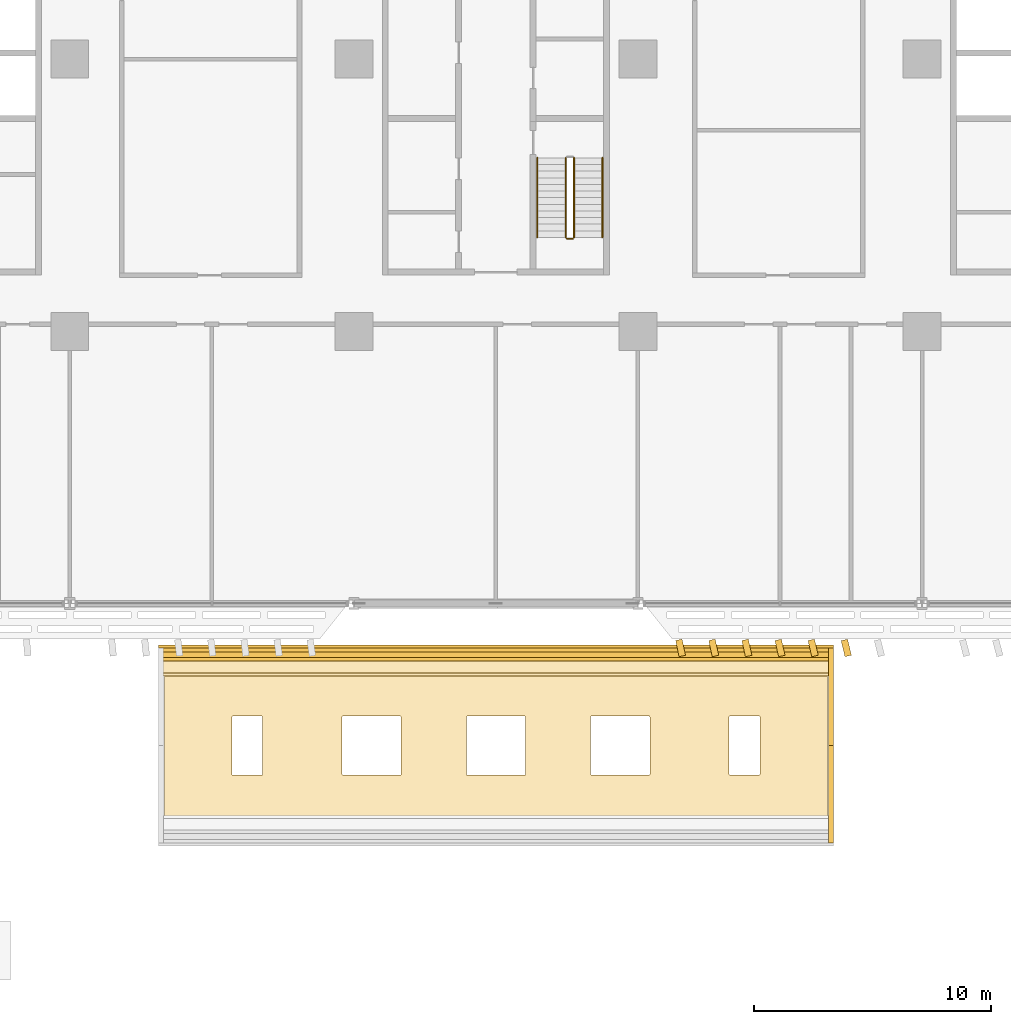
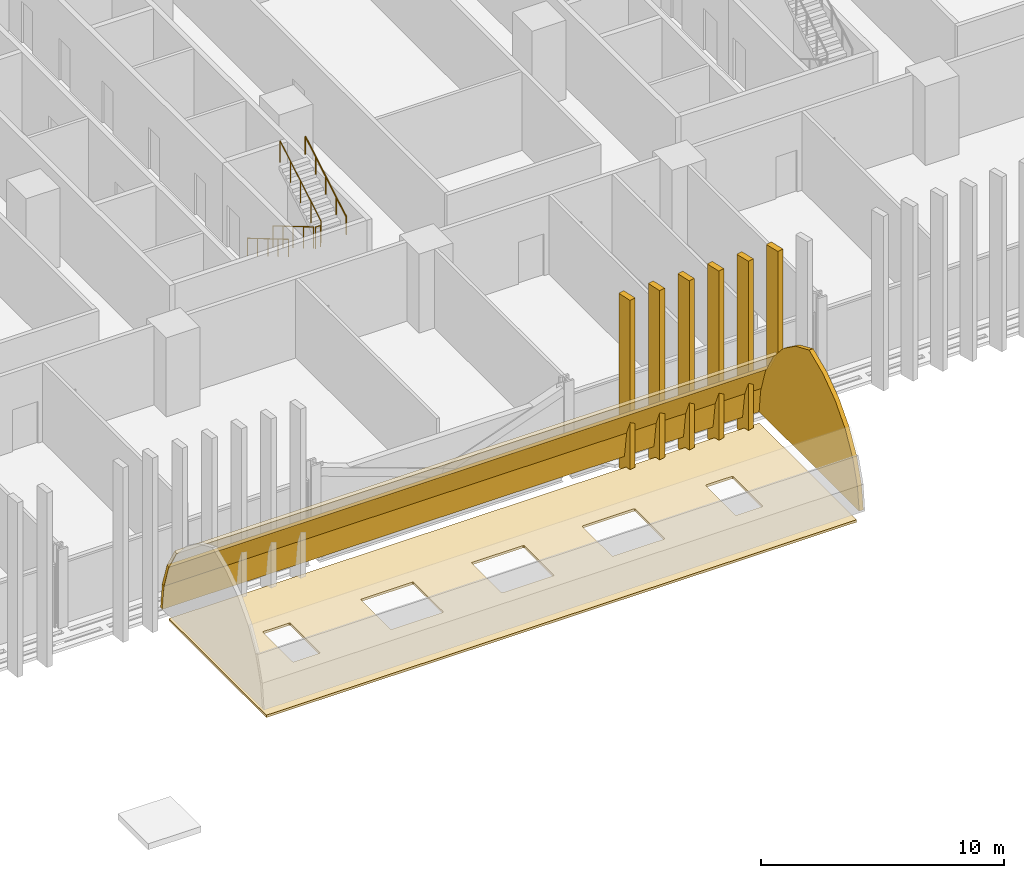
# One storey, part 24 of 31: 11 coverings, 5 railings.
"""IFC4 building model written with IfcOpenShell, lengths in metres."""

from ifc_helpers import new_model, si_unit, direction, frame, origin, origin_2d, place, context, subcontext, project, spatial, polyline, rectangle, circle, outline, extrude, material, layer, layer_set, type_object, element, save


model = new_model("IFC4")

# Units and contexts
model_context = context("Model", 3, precision=1e-05, world=origin(), true_north=direction((0.0, 1.0)))
body_context = subcontext(model_context, "Body", "Model", "MODEL_VIEW")
ifc_project = project(units=[si_unit("LENGTHUNIT", "METRE"), si_unit("AREAUNIT", "SQUARE_METRE"), si_unit("VOLUMEUNIT", "CUBIC_METRE"), si_unit("PLANEANGLEUNIT", "RADIAN"), si_unit("MASSUNIT", "GRAM", prefix="KILO")], contexts=[model_context])

# Site, building, storey
site_placement = place(None, origin())
site = spatial("IfcSite", under=ifc_project, at=site_placement, CompositionType="ELEMENT")
building_placement = place(site_placement, origin())
building = spatial("IfcBuilding", under=site, at=building_placement, Name="Mahtab Terrace Research Tower", CompositionType="ELEMENT")
storey_placement = place(building_placement, frame((0.0, 0.0, 11.5)))
storey = spatial("IfcBuildingStorey", under=building, at=storey_placement, Name="L02", CompositionType="ELEMENT", Elevation=11.5)

# Coverings
ifc_material_1 = material(Name="Standing seam zinc")
ifc_layer_1 = layer(ifc_material_1, 0.1201171875)
ifc_layer_set_1 = layer_set([ifc_layer_1], Name="Pavilion standing seam roof build-up 120")
covering_type_1 = type_object("IfcCoveringType", Name="Pavilion standing seam roof build-up 120", PredefinedType="ROOFING", material=ifc_layer_set_1)
covering_1_placement = place(storey_placement, origin())
element("IfcCovering", 1, at=covering_1_placement, inside=storey, type_object=covering_type_1, Name="Pavilion roof build-up 1", PredefinedType="ROOFING", context=body_context, shape_type="SweptSolid", body=[
    extrude(outline(polyline([(-14.0, -33.0), (-14.0, -25.0), (14.0, -25.0), (14.0, -33.0), (-14.0, -33.0)]), holes=[polyline([(-11.10009765625, -30.25), (-9.89990234375, -30.25), (-9.89501953125, -30.25), (-9.889892578125, -30.2490234375), (-9.885009765625, -30.248046875), (-9.881103515625, -30.24609375), (-9.8759765625, -30.243896484375), (-9.8720703125, -30.241943359375), (-9.867919921875, -30.239013671875), (-9.864990234375, -30.235107421875), (-9.861083984375, -30.23193359375), (-9.85791015625, -30.22802734375), (-9.85595703125, -30.22412109375), (-9.85400390625, -30.218994140625), (-9.85205078125, -30.215087890625), (-9.85107421875, -30.2099609375), (-9.85009765625, -30.205078125), (-9.85009765625, -30.199951171875), (-9.85009765625, -27.800048828125), (-9.85009765625, -27.794921875), (-9.85107421875, -27.7900390625), (-9.85205078125, -27.784912109375), (-9.85400390625, -27.781005859375), (-9.85595703125, -27.77587890625), (-9.85791015625, -27.77197265625), (-9.861083984375, -27.76806640625), (-9.864990234375, -27.764892578125), (-9.867919921875, -27.760986328125), (-9.8720703125, -27.758056640625), (-9.8759765625, -27.756103515625), (-9.881103515625, -27.75390625), (-9.885009765625, -27.751953125), (-9.889892578125, -27.7509765625), (-9.89501953125, -27.75), (-9.89990234375, -27.75), (-11.10009765625, -27.75), (-11.10498046875, -27.75), (-11.110107421875, -27.7509765625), (-11.114990234375, -27.751953125), (-11.118896484375, -27.75390625), (-11.1240234375, -27.756103515625), (-11.1279296875, -27.758056640625), (-11.132080078125, -27.760986328125), (-11.135009765625, -27.764892578125), (-11.138916015625, -27.76806640625), (-11.14208984375, -27.77197265625), (-11.14404296875, -27.77587890625), (-11.14599609375, -27.781005859375), (-11.14794921875, -27.784912109375), (-11.14892578125, -27.7900390625), (-11.14990234375, -27.794921875), (-11.14990234375, -27.800048828125), (-11.14990234375, -30.199951171875), (-11.14990234375, -30.205078125), (-11.14892578125, -30.2099609375), (-11.14794921875, -30.215087890625), (-11.14599609375, -30.218994140625), (-11.14404296875, -30.22412109375), (-11.14208984375, -30.22802734375), (-11.138916015625, -30.23193359375), (-11.135009765625, -30.235107421875), (-11.132080078125, -30.239013671875), (-11.1279296875, -30.241943359375), (-11.1240234375, -30.243896484375), (-11.118896484375, -30.24609375), (-11.114990234375, -30.248046875), (-11.110107421875, -30.2490234375), (-11.10498046875, -30.25), (-11.10009765625, -30.25)]), polyline([(-6.449951171875, -30.25), (-4.050048828125, -30.25), (-4.044921875, -30.25), (-4.0400390625, -30.2490234375), (-4.034912109375, -30.248046875), (-4.031005859375, -30.24609375), (-4.02587890625, -30.243896484375), (-4.02197265625, -30.241943359375), (-4.01806640625, -30.239013671875), (-4.014892578125, -30.235107421875), (-4.010986328125, -30.23193359375), (-4.008056640625, -30.22802734375), (-4.006103515625, -30.22412109375), (-4.00390625, -30.218994140625), (-4.001953125, -30.215087890625), (-4.0009765625, -30.2099609375), (-4.0, -30.205078125), (-4.0, -30.199951171875), (-4.0, -27.800048828125), (-4.0, -27.794921875), (-4.0009765625, -27.7900390625), (-4.001953125, -27.784912109375), (-4.00390625, -27.781005859375), (-4.006103515625, -27.77587890625), (-4.008056640625, -27.77197265625), (-4.010986328125, -27.76806640625), (-4.014892578125, -27.764892578125), (-4.01806640625, -27.760986328125), (-4.02197265625, -27.758056640625), (-4.02587890625, -27.756103515625), (-4.031005859375, -27.75390625), (-4.034912109375, -27.751953125), (-4.0400390625, -27.7509765625), (-4.044921875, -27.75), (-4.050048828125, -27.75), (-6.449951171875, -27.75), (-6.455078125, -27.75), (-6.4599609375, -27.7509765625), (-6.465087890625, -27.751953125), (-6.468994140625, -27.75390625), (-6.47412109375, -27.756103515625), (-6.47802734375, -27.758056640625), (-6.48193359375, -27.760986328125), (-6.485107421875, -27.764892578125), (-6.489013671875, -27.76806640625), (-6.491943359375, -27.77197265625), (-6.493896484375, -27.77587890625), (-6.49609375, -27.781005859375), (-6.498046875, -27.784912109375), (-6.4990234375, -27.7900390625), (-6.5, -27.794921875), (-6.5, -27.800048828125), (-6.5, -30.199951171875), (-6.5, -30.205078125), (-6.4990234375, -30.2099609375), (-6.498046875, -30.215087890625), (-6.49609375, -30.218994140625), (-6.493896484375, -30.22412109375), (-6.491943359375, -30.22802734375), (-6.489013671875, -30.23193359375), (-6.485107421875, -30.235107421875), (-6.48193359375, -30.239013671875), (-6.47802734375, -30.241943359375), (-6.47412109375, -30.243896484375), (-6.468994140625, -30.24609375), (-6.465087890625, -30.248046875), (-6.4599609375, -30.2490234375), (-6.455078125, -30.25), (-6.449951171875, -30.25)]), polyline([(-1.199951171875, -30.25), (1.199951171875, -30.25), (1.205078125, -30.25), (1.2099609375, -30.2490234375), (1.215087890625, -30.248046875), (1.218994140625, -30.24609375), (1.22412109375, -30.243896484375), (1.22802734375, -30.241943359375), (1.23193359375, -30.239013671875), (1.235107421875, -30.235107421875), (1.239013671875, -30.23193359375), (1.241943359375, -30.22802734375), (1.243896484375, -30.22412109375), (1.24609375, -30.218994140625), (1.248046875, -30.215087890625), (1.2490234375, -30.2099609375), (1.25, -30.205078125), (1.25, -30.199951171875), (1.25, -27.800048828125), (1.25, -27.794921875), (1.2490234375, -27.7900390625), (1.248046875, -27.784912109375), (1.24609375, -27.781005859375), (1.243896484375, -27.77587890625), (1.241943359375, -27.77197265625), (1.239013671875, -27.76806640625), (1.235107421875, -27.764892578125), (1.23193359375, -27.760986328125), (1.22802734375, -27.758056640625), (1.22412109375, -27.756103515625), (1.218994140625, -27.75390625), (1.215087890625, -27.751953125), (1.2099609375, -27.7509765625), (1.205078125, -27.75), (1.199951171875, -27.75), (-1.199951171875, -27.75), (-1.205078125, -27.75), (-1.2099609375, -27.7509765625), (-1.215087890625, -27.751953125), (-1.218994140625, -27.75390625), (-1.22412109375, -27.756103515625), (-1.22802734375, -27.758056640625), (-1.23193359375, -27.760986328125), (-1.235107421875, -27.764892578125), (-1.239013671875, -27.76806640625), (-1.241943359375, -27.77197265625), (-1.243896484375, -27.77587890625), (-1.24609375, -27.781005859375), (-1.248046875, -27.784912109375), (-1.2490234375, -27.7900390625), (-1.25, -27.794921875), (-1.25, -27.800048828125), (-1.25, -30.199951171875), (-1.25, -30.205078125), (-1.2490234375, -30.2099609375), (-1.248046875, -30.215087890625), (-1.24609375, -30.218994140625), (-1.243896484375, -30.22412109375), (-1.241943359375, -30.22802734375), (-1.239013671875, -30.23193359375), (-1.235107421875, -30.235107421875), (-1.23193359375, -30.239013671875), (-1.22802734375, -30.241943359375), (-1.22412109375, -30.243896484375), (-1.218994140625, -30.24609375), (-1.215087890625, -30.248046875), (-1.2099609375, -30.2490234375), (-1.205078125, -30.25), (-1.199951171875, -30.25)]), polyline([(4.044921875, -30.25), (4.050048828125, -30.25), (6.449951171875, -30.25), (6.455078125, -30.25), (6.4599609375, -30.2490234375), (6.465087890625, -30.248046875), (6.468994140625, -30.24609375), (6.47412109375, -30.243896484375), (6.47802734375, -30.241943359375), (6.48193359375, -30.239013671875), (6.485107421875, -30.235107421875), (6.489013671875, -30.23193359375), (6.491943359375, -30.22802734375), (6.493896484375, -30.22412109375), (6.49609375, -30.218994140625), (6.498046875, -30.215087890625), (6.4990234375, -30.2099609375), (6.5, -30.205078125), (6.5, -30.199951171875), (6.5, -27.800048828125), (6.5, -27.794921875), (6.4990234375, -27.7900390625), (6.498046875, -27.784912109375), (6.49609375, -27.781005859375), (6.493896484375, -27.77587890625), (6.491943359375, -27.77197265625), (6.489013671875, -27.76806640625), (6.485107421875, -27.764892578125), (6.48193359375, -27.760986328125), (6.47802734375, -27.758056640625), (6.47412109375, -27.756103515625), (6.468994140625, -27.75390625), (6.465087890625, -27.751953125), (6.4599609375, -27.7509765625), (6.455078125, -27.75), (6.449951171875, -27.75), (4.050048828125, -27.75), (4.044921875, -27.75), (4.0400390625, -27.7509765625), (4.034912109375, -27.751953125), (4.031005859375, -27.75390625), (4.02587890625, -27.756103515625), (4.02197265625, -27.758056640625), (4.01806640625, -27.760986328125), (4.014892578125, -27.764892578125), (4.010986328125, -27.76806640625), (4.008056640625, -27.77197265625), (4.006103515625, -27.77587890625), (4.00390625, -27.781005859375), (4.001953125, -27.784912109375), (4.0009765625, -27.7900390625), (4.0, -27.794921875), (4.0, -27.800048828125), (4.0, -30.199951171875), (4.0, -30.205078125), (4.0009765625, -30.2099609375), (4.001953125, -30.215087890625), (4.00390625, -30.218994140625), (4.006103515625, -30.22412109375), (4.008056640625, -30.22802734375), (4.010986328125, -30.23193359375), (4.014892578125, -30.235107421875), (4.01806640625, -30.239013671875), (4.02197265625, -30.241943359375), (4.02587890625, -30.243896484375), (4.031005859375, -30.24609375), (4.034912109375, -30.248046875), (4.0400390625, -30.2490234375), (4.044921875, -30.25)]), polyline([(9.89501953125, -30.25), (9.89990234375, -30.25), (11.10009765625, -30.25), (11.10498046875, -30.25), (11.110107421875, -30.2490234375), (11.114990234375, -30.248046875), (11.118896484375, -30.24609375), (11.1240234375, -30.243896484375), (11.1279296875, -30.241943359375), (11.132080078125, -30.239013671875), (11.135009765625, -30.235107421875), (11.138916015625, -30.23193359375), (11.14208984375, -30.22802734375), (11.14404296875, -30.22412109375), (11.14599609375, -30.218994140625), (11.14794921875, -30.215087890625), (11.14892578125, -30.2099609375), (11.14990234375, -30.205078125), (11.14990234375, -30.199951171875), (11.14990234375, -27.800048828125), (11.14990234375, -27.794921875), (11.14892578125, -27.7900390625), (11.14794921875, -27.784912109375), (11.14599609375, -27.781005859375), (11.14404296875, -27.77587890625), (11.14208984375, -27.77197265625), (11.138916015625, -27.76806640625), (11.135009765625, -27.764892578125), (11.132080078125, -27.760986328125), (11.1279296875, -27.758056640625), (11.1240234375, -27.756103515625), (11.118896484375, -27.75390625), (11.114990234375, -27.751953125), (11.110107421875, -27.7509765625), (11.10498046875, -27.75), (11.10009765625, -27.75), (9.89990234375, -27.75), (9.89501953125, -27.75), (9.889892578125, -27.7509765625), (9.885009765625, -27.751953125), (9.881103515625, -27.75390625), (9.8759765625, -27.756103515625), (9.8720703125, -27.758056640625), (9.867919921875, -27.760986328125), (9.864990234375, -27.764892578125), (9.861083984375, -27.76806640625), (9.85791015625, -27.77197265625), (9.85595703125, -27.77587890625), (9.85400390625, -27.781005859375), (9.85205078125, -27.784912109375), (9.85107421875, -27.7900390625), (9.85009765625, -27.794921875), (9.85009765625, -27.800048828125), (9.85009765625, -30.199951171875), (9.85009765625, -30.205078125), (9.85107421875, -30.2099609375), (9.85205078125, -30.215087890625), (9.85400390625, -30.218994140625), (9.85595703125, -30.22412109375), (9.85791015625, -30.22802734375), (9.861083984375, -30.23193359375), (9.864990234375, -30.235107421875), (9.867919921875, -30.239013671875), (9.8720703125, -30.241943359375), (9.8759765625, -30.243896484375), (9.881103515625, -30.24609375), (9.885009765625, -30.248046875), (9.889892578125, -30.2490234375), (9.89501953125, -30.25)])]), origin(), (0.0, 0.0, 1.0), 0.1201171875),
])
ifc_material_2 = material(Name="Glazed turquoise tile", Category="masonry")
ifc_layer_2 = layer(ifc_material_2, 0.14990234375)
ifc_layer_set_2 = layer_set([ifc_layer_2], Name="Pavilion vault tile shell 150")
covering_type_2 = type_object("IfcCoveringType", Name="Pavilion vault tile shell 150", PredefinedType="ROOFING", material=ifc_layer_set_2)
covering_2_placement = place(storey_placement, frame((-14.25, -24.885009765625, 1.876953125), z_axis=(0.0, 0.994317162268, 0.106458352514), x_axis=(1.0, 0.0, 0.0)))
element("IfcCovering", 2, at=covering_2_placement, inside=storey, type_object=covering_type_2, Name="Pavilion vault course N1", PredefinedType="ROOFING", context=body_context, shape_type="SweptSolid", body=[
    extrude(outline(polyline([(0.0, 0.0), (28.5, 0.0), (28.5, 1.2681932646613006), (0.0, 1.2681932646613006), (0.0, 0.0)])), origin(), (0.0, 0.0, -1.0), 0.14990234375),
])
covering_3_placement = place(storey_placement, frame((-14.25, -25.283935546875, 3.080078125), z_axis=(0.0, 0.949182894892, 0.314725010198), x_axis=(1.0, 0.0, 0.0)))
element("IfcCovering", 3, at=covering_3_placement, inside=storey, type_object=covering_type_2, Name="Pavilion vault course N2", PredefinedType="ROOFING", context=body_context, shape_type="SweptSolid", body=[
    extrude(outline(polyline([(0.0, 0.0), (28.5, 0.0), (28.5, 1.2675375909892863), (0.0, 1.2675375909892863), (0.0, 0.0)])), origin(), (0.0, 0.0, -1.0), 0.14990234375),
])
covering_4_placement = place(storey_placement, frame((-14.25, -25.928955078125, 4.172119140625), z_axis=(0.0, 0.8610223174, 0.508567172495), x_axis=(1.0, 0.0, 0.0)))
element("IfcCovering", 4, at=covering_4_placement, inside=storey, type_object=covering_type_2, Name="Pavilion vault course N3", PredefinedType="ROOFING", context=body_context, shape_type="SweptSolid", body=[
    extrude(outline(polyline([(0.0, 0.0), (28.5, 0.0), (28.5, 1.26830744518088), (0.0, 1.26830744518088), (0.0, 0.0)])), origin(), (0.0, 0.0, -1.0), 0.14990234375),
])
covering_5_placement = place(storey_placement, frame((14.25, -24.8798828125, 0.60009765625), z_axis=(1.0, 0.0, 0.0), x_axis=(0.0, -0.130372256967, 0.991465115177)))
element("IfcCovering", 5, at=covering_5_placement, inside=storey, type_object=covering_type_2, Name="Pavilion vault gable E", PredefinedType="ROOFING", context=body_context, shape_type="SweptSolid", body=[
    extrude(outline(polyline([(0.0, 0.0), (1.1516751176070437, 0.0), (2.394726176403442, 0.22486962995649407), (3.558674775028222, 0.7002270197317636), (4.588984202315387, 1.4027094074664577), (5.439647497338298, 2.302661327887294), (6.072506460557914, 3.3570831326690938), (5.733748975456891, 4.539267202945269), (5.1446577526394535, 5.628538992613874), (4.330977617568213, 6.573495953974914), (3.3294850735232266, 7.333597047565002), (2.1868231989244515, 7.872174920847994), (1.074297953404623, 8.16990492369662), (0.0, 0.0)])), origin(), (0.0, 0.0, -1.0), 0.199951171875),
])

# Railings
ifc_material_3 = material(Name="Stainless steel AISI 304", Category="steel")
railing_type_1 = type_object("IfcRailingType", Name="Stair guard 1100", PredefinedType="GUARDRAIL", material=ifc_material_3)
railing_1_placement = place(storey_placement, frame((2.949951171875, -4.175048828125, 0.165283203125)))
element("IfcRailing", 6, at=railing_1_placement, inside=storey, type_object=railing_type_1, Name="L02 ST2 stair guard 1", PredefinedType="GUARDRAIL", context=body_context, shape_type="SweptSolid", body=[
    extrude(circle(Radius=0.02392578125, at=origin_2d()), frame((0.0, 0.0, 1.076171875), z_axis=(0.0, -0.861011212953, 0.508585972249), x_axis=(1.0, 0.0, 0.0)), (0.0, 0.0, 1.0), 3.90234375),
    extrude(circle(Radius=0.02099609375, at=origin_2d()), origin(), (0.0, 0.0, 1.0), 1.052001953125),
    extrude(circle(Radius=0.02099609375, at=origin_2d()), frame((0.0, -0.83984375, 0.49609375)), (0.0, 0.0, 1.0), 1.052001953125),
    extrude(circle(Radius=0.02099609375, at=origin_2d()), frame((0.0, -1.679931640625, 0.9921875)), (0.0, 0.0, 1.0), 1.052001953125),
    extrude(circle(Radius=0.02099609375, at=origin_2d()), frame((0.0, -2.52001953125, 1.488525390625)), (0.0, 0.0, 1.0), 1.052001953125),
    extrude(circle(Radius=0.02099609375, at=origin_2d()), frame((0.0, -3.35986328125, 1.984619140625)), (0.0, 0.0, 1.0), 1.052001953125),
])
railing_2_placement = place(storey_placement, frame((3.0, -7.5849609375, 2.14990234375)))
element("IfcRailing", 7, at=railing_2_placement, inside=storey, type_object=railing_type_1, Name="L02 ST2 stair guard 2", PredefinedType="GUARDRAIL", context=body_context, shape_type="SweptSolid", body=[
    extrude(circle(Radius=0.02392578125, at=origin_2d()), frame((0.0, 0.0, 1.076171875), z_axis=(1.0, 0.0, 0.0), x_axis=(0.0, 1.0, 0.0)), (0.0, 0.0, 1.0), 0.25),
    extrude(circle(Radius=0.02099609375, at=origin_2d()), origin(), (0.0, 0.0, 1.0), 1.052001953125),
    extrude(circle(Radius=0.02099609375, at=origin_2d()), frame((0.25, 0.0, 0.0)), (0.0, 0.0, 1.0), 1.052001953125),
])
railing_3_placement = place(storey_placement, frame((3.300048828125, -7.534912109375, 2.3154296875)))
element("IfcRailing", 8, at=railing_3_placement, inside=storey, type_object=railing_type_1, Name="L02 ST2 stair guard 3", PredefinedType="GUARDRAIL", context=body_context, shape_type="SweptSolid", body=[
    extrude(circle(Radius=0.02392578125, at=origin_2d()), frame((0.0, 0.0, 1.076171875), z_axis=(0.0, 0.861011212953, 0.508585972249), x_axis=(-1.0, 0.0, 0.0)), (0.0, 0.0, 1.0), 3.90234375),
    extrude(circle(Radius=0.02099609375, at=origin_2d()), origin(), (0.0, 0.0, 1.0), 1.052001953125),
    extrude(circle(Radius=0.02099609375, at=origin_2d()), frame((0.0, 0.83984375, 0.49609375)), (0.0, 0.0, 1.0), 1.052001953125),
    extrude(circle(Radius=0.02099609375, at=origin_2d()), frame((0.0, 1.679931640625, 0.9921875)), (0.0, 0.0, 1.0), 1.052001953125),
    extrude(circle(Radius=0.02099609375, at=origin_2d()), frame((0.0, 2.52001953125, 1.488525390625)), (0.0, 0.0, 1.0), 1.052001953125),
    extrude(circle(Radius=0.02099609375, at=origin_2d()), frame((0.0, 3.35986328125, 1.984619140625)), (0.0, 0.0, 1.0), 1.052001953125),
])
railing_type_2 = type_object("IfcRailingType", Name="Stair handrail 900", PredefinedType="HANDRAIL", material=ifc_material_3)
railing_4_placement = place(storey_placement, frame((1.75, -4.175048828125, 0.165283203125)))
element("IfcRailing", 9, at=railing_4_placement, inside=storey, type_object=railing_type_2, Name="L02 ST2 stair handrail 1", PredefinedType="HANDRAIL", context=body_context, shape_type="SweptSolid", body=[
    extrude(circle(Radius=0.02392578125, at=origin_2d()), frame((0.0, 0.0, 0.8759765625), z_axis=(0.0, -0.861011212953, 0.508585972249), x_axis=(1.0, 0.0, 0.0)), (0.0, 0.0, 1.0), 3.90234375),
    extrude(circle(Radius=0.02099609375, at=origin_2d()), origin(), (0.0, 0.0, 1.0), 0.851806640625),
    extrude(circle(Radius=0.02099609375, at=origin_2d()), frame((0.0, -0.83984375, 0.49609375)), (0.0, 0.0, 1.0), 0.851806640625),
    extrude(circle(Radius=0.02099609375, at=origin_2d()), frame((0.0, -1.679931640625, 0.9921875)), (0.0, 0.0, 1.0), 0.851806640625),
    extrude(circle(Radius=0.02099609375, at=origin_2d()), frame((0.0, -2.52001953125, 1.488525390625)), (0.0, 0.0, 1.0), 0.851806640625),
    extrude(circle(Radius=0.02099609375, at=origin_2d()), frame((0.0, -3.35986328125, 1.984619140625)), (0.0, 0.0, 1.0), 0.851806640625),
])
railing_5_placement = place(storey_placement, frame((4.5, -7.534912109375, 2.3154296875)))
element("IfcRailing", 10, at=railing_5_placement, inside=storey, type_object=railing_type_2, Name="L02 ST2 stair handrail 2", PredefinedType="HANDRAIL", context=body_context, shape_type="SweptSolid", body=[
    extrude(circle(Radius=0.02392578125, at=origin_2d()), frame((0.0, 0.0, 0.8759765625), z_axis=(0.0, 0.861011212953, 0.508585972249), x_axis=(-1.0, 0.0, 0.0)), (0.0, 0.0, 1.0), 3.90234375),
    extrude(circle(Radius=0.02099609375, at=origin_2d()), origin(), (0.0, 0.0, 1.0), 0.851806640625),
    extrude(circle(Radius=0.02099609375, at=origin_2d()), frame((0.0, 0.83984375, 0.49609375)), (0.0, 0.0, 1.0), 0.851806640625),
    extrude(circle(Radius=0.02099609375, at=origin_2d()), frame((0.0, 1.679931640625, 0.9921875)), (0.0, 0.0, 1.0), 0.851806640625),
    extrude(circle(Radius=0.02099609375, at=origin_2d()), frame((0.0, 2.52001953125, 1.488525390625)), (0.0, 0.0, 1.0), 0.851806640625),
    extrude(circle(Radius=0.02099609375, at=origin_2d()), frame((0.0, 3.35986328125, 1.984619140625)), (0.0, 0.0, 1.0), 0.851806640625),
])

# Coverings
ifc_material_4 = material(Name="Bronze anodised aluminium", Category="aluminium")
ifc_layer_3 = layer(ifc_material_4, 0.1201171875)
ifc_layer_set_3 = layer_set([ifc_layer_3], Name="Vertical fin 700")
covering_type_3 = type_object("IfcCoveringType", Name="Vertical fin 700", PredefinedType="CLADDING", material=ifc_layer_set_3)
for number, where, z_axis, x_axis, name in (
    (11, (7.800048828125, -24.871337890625, -0.14990234375), (0.0, 0.0, 1.0), (0.978662951719, 0.205472204767, 0.0), "Fin L02 S1"),
    (12, (9.199951171875, -24.87158203125, -0.14990234375), (0.0, 0.0, 1.0), (0.97745100758, 0.211162325667, 0.0), "Fin L02 S2"),
    (13, (10.60009765625, -24.8720703125, -0.14990234375), (0.0, 0.0, 1.0), (0.976205980352, 0.216845299523, 0.0), "Fin L02 S3"),
    (14, (12.0, -24.872314453125, -0.14990234375), (0.0, 0.0, 1.0), (0.974927912182, 0.222520933954, 0.0), "Fin L02 S4"),
    (15, (13.39990234375, -24.872802734375, -0.14990234375), (0.0, 0.0, 1.0), (0.973616846325, 0.228189036878, 0.0), "Fin L02 S5"),
    (16, (14.800048828125, -24.873046875, -0.14990234375), (0.0, 0.0, 1.0), (0.972272827152, 0.233849416469, 0.0), "Fin L02 S6"),
):
    element("IfcCovering", number, at=place(storey_placement, frame(where, z_axis=z_axis, x_axis=x_axis)), inside=storey, type_object=covering_type_3, Name=name, PredefinedType="CLADDING", context=body_context, shape_type="SweptSolid", body=[
        extrude(rectangle(XDim=0.280029296875, YDim=0.699951171875, at=origin_2d()), origin(), (0.0, 0.0, 1.0), 8.75),
    ])

save(model, "model.ifc")
